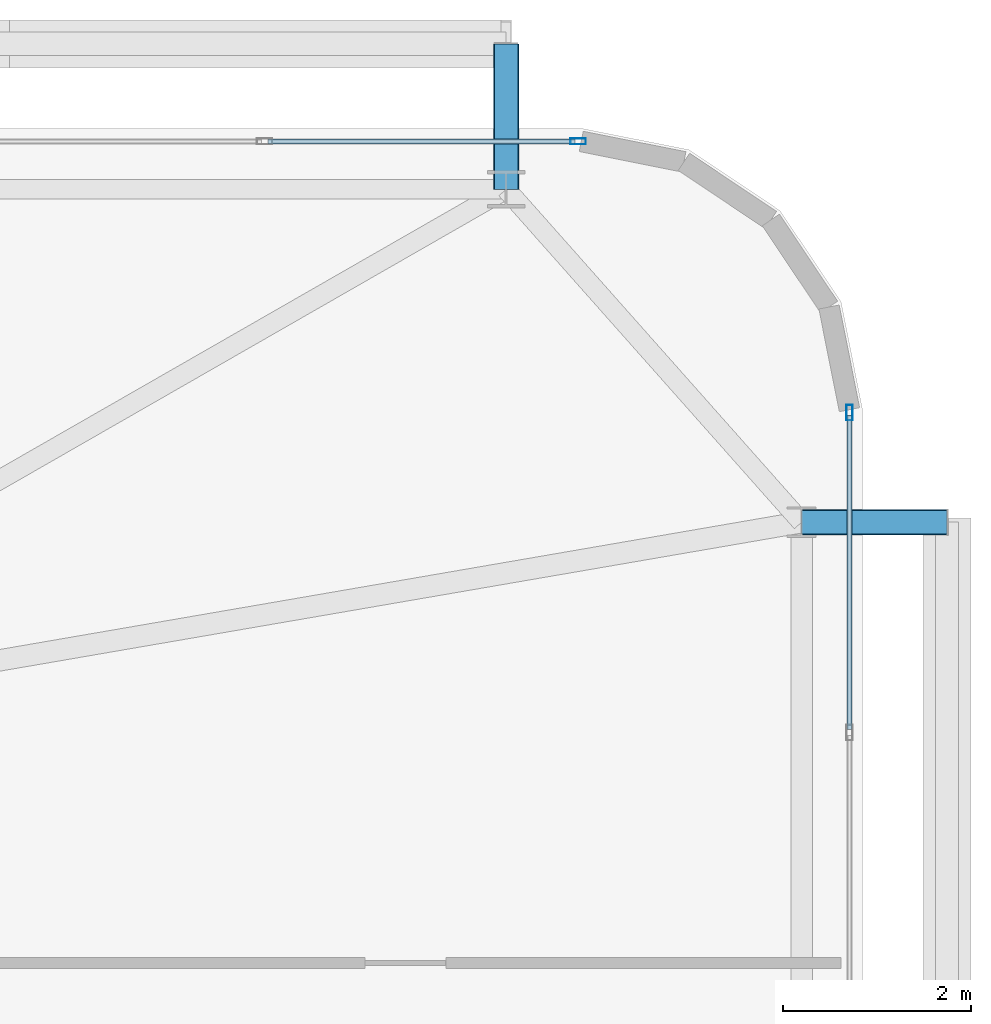
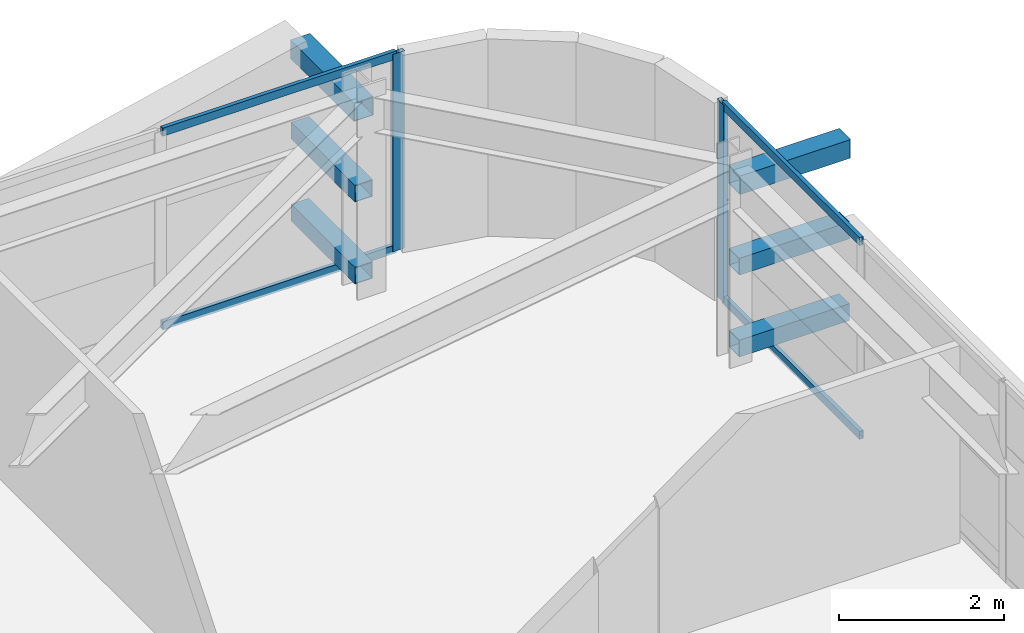
# One storey, part 41 of 59: 12 members, 2 elements without a shape of their own.
"""IFC4 building model written with IfcOpenShell, lengths in metres."""

from ifc_helpers import new_model, si_unit, direction, frame, origin, origin_2d, place, context, subcontext, project, spatial, hollow_rectangle, extrude, source, transform, mapped, material, layer, layer_set, material_profile, profile_set, type_object, element, aggregate, save


model = new_model("IFC4")

# Units and contexts
model_context = context("Model", 3, precision=1e-05, world=origin(), true_north=direction((0.0, 1.0)))
body_context = subcontext(model_context, "Body", "Model", "MODEL_VIEW")
ifc_project = project(units=[si_unit("LENGTHUNIT", "METRE"), si_unit("AREAUNIT", "SQUARE_METRE"), si_unit("VOLUMEUNIT", "CUBIC_METRE"), si_unit("PLANEANGLEUNIT", "RADIAN"), si_unit("MASSUNIT", "GRAM", prefix="KILO")], contexts=[model_context])

# Site, building, storey
site_placement = place(None, origin())
site = spatial("IfcSite", under=ifc_project, at=site_placement, CompositionType="ELEMENT")
building_placement = place(site_placement, origin())
building = spatial("IfcBuilding", under=site, at=building_placement, Name="Taldren Reach Tower", CompositionType="ELEMENT")
storey_placement = place(building_placement, frame((0.0, 0.0, 48.300048828125)))
storey = spatial("IfcBuildingStorey", under=building, at=storey_placement, Name="L14", CompositionType="ELEMENT", Elevation=48.300048828125)

# Members
ifc_material_1 = material(Name="Steel Gr 450 (C450L0)", Category="steel")
ifc_material_profile_1 = material_profile(ifc_material_1, hollow_rectangle(XDim=0.27490234375, YDim=0.27490234375, WallThickness=0.00927734375, at=origin_2d()), Name="275x275x9.3SHS")
ifc_profile_set_1 = profile_set([ifc_material_profile_1], Name="Steel Gr 450 (C450L0)")
member_type_1 = type_object("IfcMemberType", Name="MB-TIE273", PredefinedType="STRUT", material=ifc_profile_set_1)
shared_shape_1 = source(origin(), body_context, "Body", "SweptSolid", [
    extrude(hollow_rectangle(XDim=0.27490234375, YDim=0.27490234375, WallThickness=0.00927734375, at=origin_2d()), origin(), (0.0, 0.0, 1.0), 1.5498046875),
])
for number, where, z_axis, x_axis, name in (
    (1, (61.199951171875, 37.85009765625, 2.64990234375), (0.0, 1.0, 0.0), (-1.0, 0.0, 0.0), "Exoskeleton diaphragm tie strut B1-N6 L14"),
    (2, (64.35009765625, 34.300048828125, 2.64990234375), (1.0, 0.0, 0.0), (0.0, 1.0, 0.0), "Exoskeleton diaphragm tie strut B1-E3 L14"),
):
    element("IfcMember", number, at=place(storey_placement, frame(where, z_axis=z_axis, x_axis=x_axis)), inside=storey, type_object=member_type_1, Name=name, PredefinedType="STRUT", context=body_context, shape_type="MappedRepresentation", body=[
        mapped(shared_shape_1, transform((0.0, 0.0, 0.0), scale=1.0)),
    ])
ifc_material_2 = material(Name="Steel Gr 350 (C350L0)", Category="steel")
ifc_material_profile_2 = material_profile(ifc_material_2, hollow_rectangle(XDim=0.25, YDim=0.25, WallThickness=0.010009765625, at=origin_2d()), Name="250x250x10.0SHS")
ifc_profile_set_2 = profile_set([ifc_material_profile_2], Name="Steel Gr 350 (C350L0)")
member_type_2 = type_object("IfcMemberType", Name="MB-POST250", PredefinedType="POST", material=ifc_profile_set_2)
shared_shape_2 = source(origin(), body_context, "Body", "SweptSolid", [
    extrude(hollow_rectangle(XDim=0.25, YDim=0.25, WallThickness=0.010009765625, at=origin_2d()), origin(), (0.0, 0.0, 1.0), 1.5498046875),
])
for number, where, z_axis, x_axis, name in (
    (3, (61.199951171875, 37.85009765625, 0.219970703125), (0.0, 1.0, 0.0), (-1.0, 0.0, 0.0), "Exoskeleton base diaphragm tie strut B1-N6 L14"),
    (4, (64.35009765625, 34.300048828125, 0.219970703125), (1.0, 0.0, 0.0), (0.0, 1.0, 0.0), "Exoskeleton base diaphragm tie strut B1-E3 L14"),
    (5, (61.199951171875, 37.85009765625, 1.43505859375), (0.0, 1.0, 0.0), (-1.0, 0.0, 0.0), "Exoskeleton mid-tier diaphragm tie B1-N6 L14"),
    (6, (64.35009765625, 34.300048828125, 1.43505859375), (1.0, 0.0, 0.0), (0.0, 1.0, 0.0), "Exoskeleton mid-tier diaphragm tie B1-E3 L14"),
):
    element("IfcMember", number, at=place(storey_placement, frame(where, z_axis=z_axis, x_axis=x_axis)), inside=storey, type_object=member_type_2, Name=name, PredefinedType="POST", context=body_context, shape_type="MappedRepresentation", body=[
        mapped(shared_shape_2, transform((0.0, 0.0, 0.0), scale=1.0)),
    ])

# Curtain wall, member
ifc_material_3 = material(Name="Aluminium and Low-E Glass Unitised System", Category="aluminium")
ifc_layer = layer(ifc_material_3, 0.159912109375)
ifc_layer_set = layer_set([ifc_layer], Name="Aluminium and Low-E Glass Unitised System")
curtain_wall_type = type_object("IfcCurtainWallType", Name="CW-SYS-2", PredefinedType="NOTDEFINED", material=ifc_layer_set)
curtain_wall_1_placement = place(storey_placement, origin())
curtain_wall_1 = element("IfcCurtainWall", 7, at=curtain_wall_1_placement, inside=storey, type_object=curtain_wall_type, Name="Unitised curtain wall CW-L14-N", PredefinedType="NOTDEFINED")
ifc_material_4 = material(Name="Anodised Aluminium 6063-T6", Category="aluminium")
ifc_material_profile_3 = material_profile(ifc_material_4, hollow_rectangle(XDim=0.06494140625, YDim=0.1650390625, WallThickness=0.00390625, at=origin_2d()), Name="ALU-165x65x4RHS")
ifc_profile_set_3 = profile_set([ifc_material_profile_3], Name="Anodised Aluminium 6063-T6")
member_type_3 = type_object("IfcMemberType", Name="CW-MUL-165", PredefinedType="MULLION", material=ifc_profile_set_3)
shared_shape_3 = source(origin(), body_context, "Body", "SweptSolid", [
    extrude(hollow_rectangle(XDim=0.06494140625, YDim=0.1650390625, WallThickness=0.00390625, at=origin_2d()), origin(), (0.0, 0.0, 1.0), 2.929931640625),
])
member_1_placement = place(storey_placement, frame((61.967529296875, 38.360107421875, 0.0), z_axis=(0.0, 0.0, 1.0), x_axis=(0.0, -1.0, 0.0)))
member_1 = element("IfcMember", 8, at=member_1_placement, type_object=member_type_3, Name="CW-2 mullion 1", PredefinedType="MULLION", context=body_context, shape_type="MappedRepresentation", body=[
    mapped(shared_shape_3, transform((0.0, 0.0, 0.0), scale=1.0)),
])

curtain_wall_2_placement = place(storey_placement, origin())
curtain_wall_2 = element("IfcCurtainWall", 9, at=curtain_wall_2_placement, inside=storey, type_object=curtain_wall_type, Name="Unitised curtain wall CW-L14-E", PredefinedType="NOTDEFINED")
member_2_placement = place(storey_placement, frame((64.860107421875, 35.467529296875, 0.0), z_axis=(0.0, 0.0, 1.0), x_axis=(-1.0, 0.0, 0.0)))
member_2 = element("IfcMember", 10, at=member_2_placement, type_object=member_type_3, Name="CW-2 mullion 10", PredefinedType="MULLION", context=body_context, shape_type="MappedRepresentation", body=[
    mapped(shared_shape_3, transform((0.0, 0.0, 0.0), scale=1.0)),
])

# Member
ifc_material_profile_4 = material_profile(ifc_material_4, hollow_rectangle(XDim=0.054931640625, YDim=0.1201171875, WallThickness=0.0029296875, at=origin_2d()), Name="ALU-120x55x3RHS")
ifc_profile_set_4 = profile_set([ifc_material_profile_4], Name="Anodised Aluminium 6063-T6")
member_type_4 = type_object("IfcMemberType", Name="CW-TRN-135", PredefinedType="USERDEFINED", material=ifc_profile_set_4)
shared_shape_4 = source(origin(), body_context, "Body", "SweptSolid", [
    extrude(hollow_rectangle(XDim=0.054931640625, YDim=0.1201171875, WallThickness=0.0029296875, at=origin_2d()), origin(), (0.0, 0.0, 1.0), 3.277587890625),
])
member_3_placement = place(storey_placement, frame((61.93505859375, 38.360107421875, 0.02734375), z_axis=(-1.0, 0.0, 0.0), x_axis=(0.0, -1.0, 0.0)))
member_3 = element("IfcMember", 11, at=member_3_placement, type_object=member_type_4, Name="CW-2 transom 1.1", ObjectType="TRANSOM", PredefinedType="USERDEFINED", context=body_context, shape_type="MappedRepresentation", body=[
    mapped(shared_shape_4, transform((0.0, 0.0, 0.0), scale=1.0)),
])

member_4_placement = place(storey_placement, frame((61.93505859375, 38.360107421875, 2.90234375), z_axis=(-1.0, 0.0, 0.0), x_axis=(0.0, -1.0, 0.0)))
member_4 = element("IfcMember", 12, at=member_4_placement, type_object=member_type_4, Name="CW-2 transom 1.2", ObjectType="TRANSOM", PredefinedType="USERDEFINED", context=body_context, shape_type="MappedRepresentation", body=[
    mapped(shared_shape_4, transform((0.0, 0.0, 0.0), scale=1.0)),
])

aggregate(curtain_wall_1, [member_1, member_3, member_4])

shared_shape_5 = source(origin(), body_context, "Body", "SweptSolid", [
    extrude(hollow_rectangle(XDim=0.054931640625, YDim=0.1201171875, WallThickness=0.0029296875, at=origin_2d()), origin(), (0.0, 0.0, 1.0), 3.346923828125),
])
member_5_placement = place(storey_placement, frame((64.860107421875, 32.088134765625, 0.02734375), z_axis=(0.0, 1.0, 0.0), x_axis=(-1.0, 0.0, 0.0)))
member_5 = element("IfcMember", 13, at=member_5_placement, type_object=member_type_4, Name="CW-2 transom 9.1", ObjectType="TRANSOM", PredefinedType="USERDEFINED", context=body_context, shape_type="MappedRepresentation", body=[
    mapped(shared_shape_5, transform((0.0, 0.0, 0.0), scale=1.0)),
])

member_6_placement = place(storey_placement, frame((64.860107421875, 32.088134765625, 2.90234375), z_axis=(0.0, 1.0, 0.0), x_axis=(-1.0, 0.0, 0.0)))
member_6 = element("IfcMember", 14, at=member_6_placement, type_object=member_type_4, Name="CW-2 transom 9.2", ObjectType="TRANSOM", PredefinedType="USERDEFINED", context=body_context, shape_type="MappedRepresentation", body=[
    mapped(shared_shape_5, transform((0.0, 0.0, 0.0), scale=1.0)),
])

aggregate(curtain_wall_2, [member_2, member_5, member_6])

save(model, "model.ifc")
